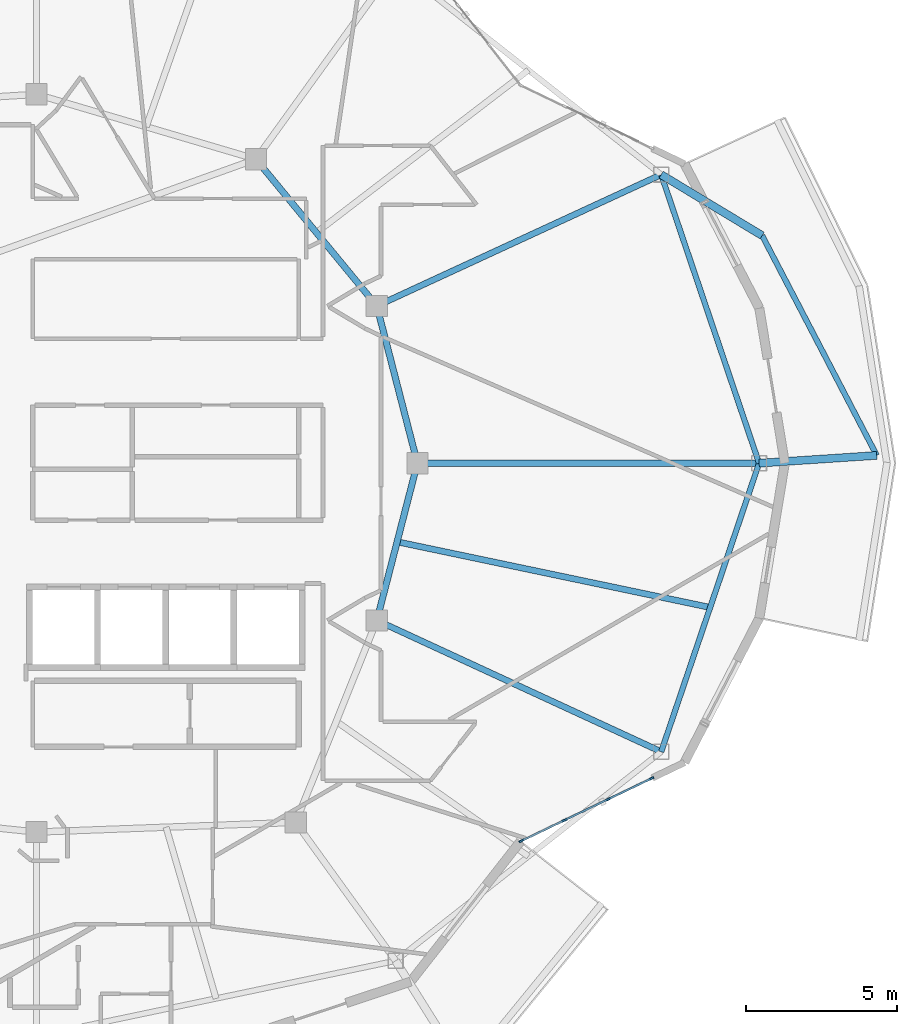
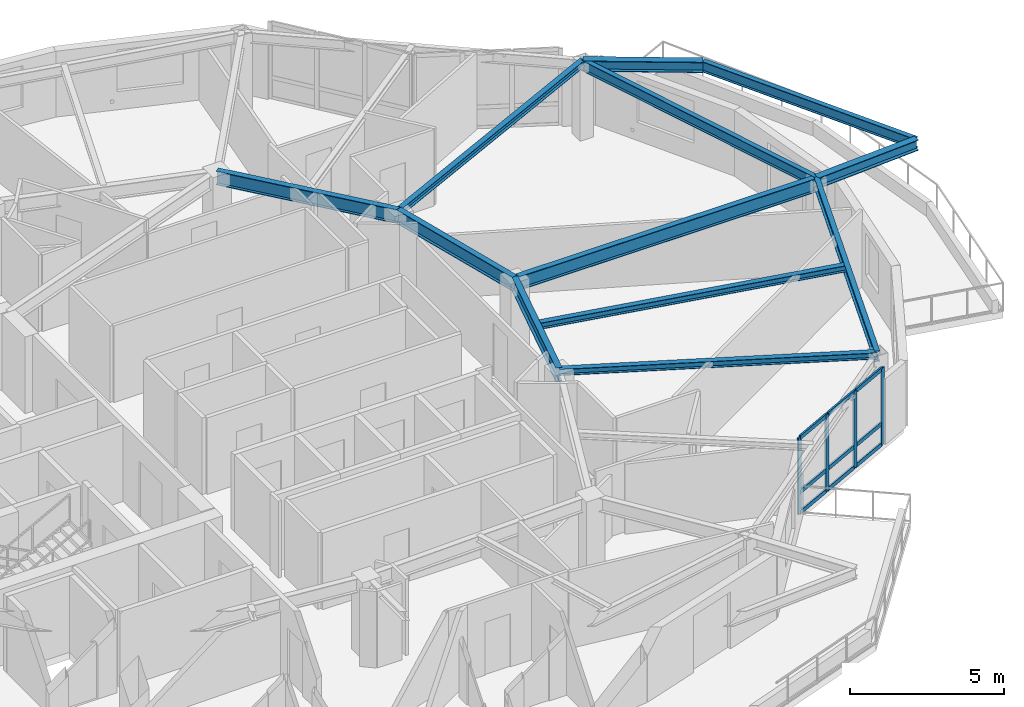
# One storey, part 2 of 14: 13 members, 12 beams, 1 element without a shape of its own.
"""IFC4 building model written with IfcOpenShell, lengths in metres."""

from ifc_helpers import new_model, si_unit, direction, frame, origin, origin_2d, place, context, subcontext, project, spatial, rectangle, i_section, extrude, material, layer, layer_set, material_profile, profile_set, type_object, element, aggregate, save


model = new_model("IFC4")

# Units and contexts
model_context = context("Model", 3, precision=1e-05, world=origin(), true_north=direction((0.0, 1.0)))
body_context = subcontext(model_context, "Body", "Model", "MODEL_VIEW")
ifc_project = project(units=[si_unit("LENGTHUNIT", "METRE"), si_unit("AREAUNIT", "SQUARE_METRE"), si_unit("VOLUMEUNIT", "CUBIC_METRE"), si_unit("PLANEANGLEUNIT", "RADIAN"), si_unit("MASSUNIT", "GRAM", prefix="KILO")], contexts=[model_context])

# Site, building, storey
site_placement = place(None, origin())
site = spatial("IfcSite", under=ifc_project, at=site_placement, CompositionType="ELEMENT")
building_placement = place(site_placement, origin())
building = spatial("IfcBuilding", under=site, at=building_placement, Name="Kolvaren Gate Tower and Convention Centre", CompositionType="ELEMENT")
storey_placement = place(building_placement, frame((0.0, 0.0, 232.699951171875)))
storey = spatial("IfcBuildingStorey", under=building, at=storey_placement, Name="L62", CompositionType="ELEMENT", Elevation=232.699951171875)

# Curtain wall, members
ifc_material_1 = material(Name="Anodized Architectural Aluminium Alloy 6063-T6", Category="aluminium")
ifc_layer = layer(ifc_material_1, 0.159912109375)
ifc_layer_set = layer_set([ifc_layer], Name="Anodized Architectural Aluminium Alloy 6063-T6")
curtain_wall_type = type_object("IfcCurtainWallType", Name="CW-RES-UNIT", PredefinedType="NOTDEFINED", material=ifc_layer_set)
curtain_wall_placement = place(storey_placement, origin())
curtain_wall = element("IfcCurtainWall", 1, at=curtain_wall_placement, inside=storey, type_object=curtain_wall_type, Name="Tower L62 Unitised Curtain Wall CW-RES-UNIT Bay 21", PredefinedType="NOTDEFINED")
ifc_material_profile_1 = material_profile(ifc_material_1, rectangle(XDim=0.06494140625, YDim=0.159912109375, at=origin_2d()), Name="CW-MEM-MUL-160")
ifc_profile_set_1 = profile_set([ifc_material_profile_1], Name="Anodized Architectural Aluminium Alloy 6063-T6")
member_type_1 = type_object("IfcMemberType", Name="CW-MEM-MUL-160", PredefinedType="MULLION", material=ifc_profile_set_1)
member_1_placement = place(storey_placement, frame((46.161865234375, 14.5068359375, 0.0), z_axis=(0.0, 0.0, 1.0), x_axis=(-0.433064264345, 0.90136304725, 0.0)))
member_1 = element("IfcMember", 2, at=member_1_placement, type_object=member_type_1, Name="CW-04 mullion 1", PredefinedType="MULLION", context=body_context, shape_type="SweptSolid", body=[
    extrude(rectangle(XDim=0.06494140625, YDim=0.159912109375, at=origin_2d()), origin(), (0.0, 0.0, 1.0), 3.030029296875),
])
member_2_placement = place(storey_placement, frame((47.58642578125, 15.191162109375, 0.0), z_axis=(0.0, 0.0, 1.0), x_axis=(-0.433064264345, 0.90136304725, 0.0)))
member_2 = element("IfcMember", 3, at=member_2_placement, type_object=member_type_1, Name="CW-04 mullion 2", PredefinedType="MULLION", context=body_context, shape_type="SweptSolid", body=[
    extrude(rectangle(XDim=0.06494140625, YDim=0.159912109375, at=origin_2d()), origin(), (0.0, 0.0, 1.0), 3.030029296875),
])
member_3_placement = place(storey_placement, frame((49.040283203125, 15.8896484375, 0.0), z_axis=(0.0, 0.0, 1.0), x_axis=(-0.433064264345, 0.90136304725, 0.0)))
member_3 = element("IfcMember", 4, at=member_3_placement, type_object=member_type_1, Name="CW-04 mullion 3", PredefinedType="MULLION", context=body_context, shape_type="SweptSolid", body=[
    extrude(rectangle(XDim=0.06494140625, YDim=0.159912109375, at=origin_2d()), origin(), (0.0, 0.0, 1.0), 3.030029296875),
])
member_4_placement = place(storey_placement, frame((50.46484375, 16.57421875, 0.0), z_axis=(0.0, 0.0, 1.0), x_axis=(-0.433064264345, 0.90136304725, 0.0)))
member_4 = element("IfcMember", 5, at=member_4_placement, type_object=member_type_1, Name="CW-04 mullion 4", PredefinedType="MULLION", context=body_context, shape_type="SweptSolid", body=[
    extrude(rectangle(XDim=0.06494140625, YDim=0.159912109375, at=origin_2d()), origin(), (0.0, 0.0, 1.0), 3.030029296875),
])
ifc_material_profile_2 = material_profile(ifc_material_1, rectangle(XDim=0.06494140625, YDim=0.159912109375, at=origin_2d()), Name="CW-MEM-TRN-160")
ifc_profile_set_2 = profile_set([ifc_material_profile_2], Name="Anodized Architectural Aluminium Alloy 6063-T6")
member_type_2 = type_object("IfcMemberType", Name="CW-MEM-TRN-160", PredefinedType="USERDEFINED", material=ifc_profile_set_2)
member_5_placement = place(storey_placement, frame((46.191162109375, 14.520751953125, 0.032470703125), z_axis=(0.901309275583, 0.433176164797, 0.0), x_axis=(-0.433176164797, 0.901309275583, 0.0)))
member_5 = element("IfcMember", 6, at=member_5_placement, type_object=member_type_2, Name="CW-04 transom 1.1", ObjectType="TRANSOM", PredefinedType="USERDEFINED", context=body_context, shape_type="SweptSolid", body=[
    extrude(rectangle(XDim=0.06494140625, YDim=0.159912109375, at=origin_2d()), origin(), (0.0, 0.0, 1.0), 1.515625),
])
member_6_placement = place(storey_placement, frame((46.191162109375, 14.520751953125, 0.85009765625), z_axis=(0.901309275583, 0.433176164797, 0.0), x_axis=(-0.433176164797, 0.901309275583, 0.0)))
member_6 = element("IfcMember", 7, at=member_6_placement, type_object=member_type_2, Name="CW-04 transom 1.2", ObjectType="TRANSOM", PredefinedType="USERDEFINED", context=body_context, shape_type="SweptSolid", body=[
    extrude(rectangle(XDim=0.06494140625, YDim=0.159912109375, at=origin_2d()), origin(), (0.0, 0.0, 1.0), 1.515625),
])
member_7_placement = place(storey_placement, frame((46.191162109375, 14.520751953125, 2.99755859375), z_axis=(0.901309275583, 0.433176164797, 0.0), x_axis=(-0.433176164797, 0.901309275583, 0.0)))
member_7 = element("IfcMember", 8, at=member_7_placement, type_object=member_type_2, Name="CW-04 transom 1.3", ObjectType="TRANSOM", PredefinedType="USERDEFINED", context=body_context, shape_type="SweptSolid", body=[
    extrude(rectangle(XDim=0.06494140625, YDim=0.159912109375, at=origin_2d()), origin(), (0.0, 0.0, 1.0), 1.515625),
])
member_8_placement = place(storey_placement, frame((47.61572265625, 15.205322265625, 0.032470703125), z_axis=(0.901350707748, 0.433089946365, 0.0), x_axis=(-0.433089946365, 0.901350707748, 0.0)))
member_8 = element("IfcMember", 9, at=member_8_placement, type_object=member_type_2, Name="CW-04 transom 2.1", ObjectType="TRANSOM", PredefinedType="USERDEFINED", context=body_context, shape_type="SweptSolid", body=[
    extrude(rectangle(XDim=0.06494140625, YDim=0.159912109375, at=origin_2d()), origin(), (0.0, 0.0, 1.0), 1.5478515625),
])
member_9_placement = place(storey_placement, frame((47.61572265625, 15.205322265625, 0.85009765625), z_axis=(0.901350707748, 0.433089946365, 0.0), x_axis=(-0.433089946365, 0.901350707748, 0.0)))
member_9 = element("IfcMember", 10, at=member_9_placement, type_object=member_type_2, Name="CW-04 transom 2.2", ObjectType="TRANSOM", PredefinedType="USERDEFINED", context=body_context, shape_type="SweptSolid", body=[
    extrude(rectangle(XDim=0.06494140625, YDim=0.159912109375, at=origin_2d()), origin(), (0.0, 0.0, 1.0), 1.5478515625),
])
member_10_placement = place(storey_placement, frame((47.61572265625, 15.205322265625, 2.99755859375), z_axis=(0.901350707748, 0.433089946365, 0.0), x_axis=(-0.433089946365, 0.901350707748, 0.0)))
member_10 = element("IfcMember", 11, at=member_10_placement, type_object=member_type_2, Name="CW-04 transom 2.3", ObjectType="TRANSOM", PredefinedType="USERDEFINED", context=body_context, shape_type="SweptSolid", body=[
    extrude(rectangle(XDim=0.06494140625, YDim=0.159912109375, at=origin_2d()), origin(), (0.0, 0.0, 1.0), 1.5478515625),
])
member_11_placement = place(storey_placement, frame((49.069580078125, 15.90380859375, 0.032470703125), z_axis=(0.901372164893, 0.433045286726, 0.0), x_axis=(-0.433045286726, 0.901372164893, 0.0)))
member_11 = element("IfcMember", 12, at=member_11_placement, type_object=member_type_2, Name="CW-04 transom 3.1", ObjectType="TRANSOM", PredefinedType="USERDEFINED", context=body_context, shape_type="SweptSolid", body=[
    extrude(rectangle(XDim=0.06494140625, YDim=0.159912109375, at=origin_2d()), origin(), (0.0, 0.0, 1.0), 1.515380859375),
])
member_12_placement = place(storey_placement, frame((49.069580078125, 15.90380859375, 0.85009765625), z_axis=(0.901372164893, 0.433045286726, 0.0), x_axis=(-0.433045286726, 0.901372164893, 0.0)))
member_12 = element("IfcMember", 13, at=member_12_placement, type_object=member_type_2, Name="CW-04 transom 3.2", ObjectType="TRANSOM", PredefinedType="USERDEFINED", context=body_context, shape_type="SweptSolid", body=[
    extrude(rectangle(XDim=0.06494140625, YDim=0.159912109375, at=origin_2d()), origin(), (0.0, 0.0, 1.0), 1.515380859375),
])
member_13_placement = place(storey_placement, frame((49.069580078125, 15.90380859375, 2.99755859375), z_axis=(0.901372164893, 0.433045286726, 0.0), x_axis=(-0.433045286726, 0.901372164893, 0.0)))
member_13 = element("IfcMember", 14, at=member_13_placement, type_object=member_type_2, Name="CW-04 transom 3.3", ObjectType="TRANSOM", PredefinedType="USERDEFINED", context=body_context, shape_type="SweptSolid", body=[
    extrude(rectangle(XDim=0.06494140625, YDim=0.159912109375, at=origin_2d()), origin(), (0.0, 0.0, 1.0), 1.515380859375),
])
aggregate(curtain_wall, [member_1, member_2, member_3, member_4, member_5, member_6, member_7, member_8, member_9, member_10, member_11, member_12, member_13])

# Beams
ifc_material_2 = material(Name="Structural steel ASTM A992 Grade 345 MPa", Category="steel")
ifc_material_profile_3 = material_profile(ifc_material_2, i_section(OverallWidth=0.260009765625, OverallDepth=0.419921875, WebThickness=0.013427734375, FlangeThickness=0.0224609375, at=origin_2d()), Name="W410X132")
ifc_profile_set_3 = profile_set([ifc_material_profile_3], Name="Structural steel ASTM A992 Grade 345 MPa")
beam_type_1 = type_object("IfcBeamType", Name="STR-BM-W410X132", PredefinedType="BEAM", material=ifc_profile_set_3)
for number, where, z_axis, x_axis, name in (
    (15, (54.02490234375, 27.0, 2.820556640625), (0.997825138942, 0.065916554034, 0.0), (-0.065916554034, 0.997825138942, 0.0), "Tower L63 Planted Balcony Outrigger Cantilever BC-4A"),
    (16, (50.787353515625, 36.543701171875, 2.820556640625), (0.856097890351, -0.516813701575, 0.0), (0.516813701575, 0.856097890351, 0.0), "Tower L63 Planted Balcony Outrigger Cantilever BC-4B"),
):
    element("IfcBeam", number, at=place(storey_placement, frame(where, z_axis=z_axis, x_axis=x_axis)), inside=storey, type_object=beam_type_1, Name=name, PredefinedType="BEAM", context=body_context, shape_type="SweptSolid", body=[
        extrude(i_section(OverallWidth=0.260009765625, OverallDepth=0.419921875, WebThickness=0.013427734375, FlangeThickness=0.0224609375, at=origin_2d()), origin(), (0.0, 0.0, 1.0), 3.900146484375),
    ])
ifc_material_profile_4 = material_profile(ifc_material_2, i_section(OverallWidth=0.2119140625, OverallDepth=0.5439453125, WebThickness=0.01318359375, FlangeThickness=0.021240234375, at=origin_2d()), Name="W530X123")
ifc_profile_set_4 = profile_set([ifc_material_profile_4], Name="Structural steel ASTM A992 Grade 345 MPa")
beam_type_2 = type_object("IfcBeamType", Name="STR-BM-W530X123", PredefinedType="BEAM", material=ifc_profile_set_4)
beam_1_placement = place(storey_placement, frame((42.72509765625, 27.0, 2.758056640625), z_axis=(-0.250091133936, -0.968222301296, 0.0), x_axis=(0.968222301296, -0.250091133936, 0.0)))
element("IfcBeam", 17, at=beam_1_placement, inside=storey, type_object=beam_type_2, Name="Tower L62 Primary Ring Girder G-01", PredefinedType="BEAM", context=body_context, shape_type="SweptSolid", body=[
    extrude(i_section(OverallWidth=0.2119140625, OverallDepth=0.5439453125, WebThickness=0.01318359375, FlangeThickness=0.021240234375, at=origin_2d()), origin(), (0.0, 0.0, 1.0), 5.3701171875),
])
beam_2_placement = place(storey_placement, frame((41.382080078125, 32.199462890625, 2.758056640625), z_axis=(-0.635884066011, 0.771784590798, 0.0), x_axis=(-0.771784590798, -0.635884066011, 0.0)))
element("IfcBeam", 18, at=beam_2_placement, inside=storey, type_object=beam_type_2, Name="Tower L62 Primary Ring Girder G-02", PredefinedType="BEAM", context=body_context, shape_type="SweptSolid", body=[
    extrude(i_section(OverallWidth=0.2119140625, OverallDepth=0.5439453125, WebThickness=0.01318359375, FlangeThickness=0.021240234375, at=origin_2d()), origin(), (0.0, 0.0, 1.0), 6.291259765625),
])
beam_3_placement = place(storey_placement, frame((42.72509765625, 27.0, 2.758056640625), z_axis=(-0.250091133936, 0.968222301296, 0.0), x_axis=(-0.968222301296, -0.250091133936, 0.0)))
element("IfcBeam", 19, at=beam_3_placement, inside=storey, type_object=beam_type_2, Name="Tower L62 Primary Ring Girder G-12", PredefinedType="BEAM", context=body_context, shape_type="SweptSolid", body=[
    extrude(i_section(OverallWidth=0.2119140625, OverallDepth=0.5439453125, WebThickness=0.01318359375, FlangeThickness=0.021240234375, at=origin_2d()), origin(), (0.0, 0.0, 1.0), 5.3701171875),
])
beam_4_placement = place(storey_placement, frame((42.72509765625, 27.0, 2.758056640625), z_axis=(1.0, 0.0, 0.0), x_axis=(0.0, 1.0, 0.0)))
element("IfcBeam", 20, at=beam_4_placement, inside=storey, type_object=beam_type_2, Name="Tower L62 Radial Floor Girder RB-01", PredefinedType="BEAM", context=body_context, shape_type="SweptSolid", body=[
    extrude(i_section(OverallWidth=0.2119140625, OverallDepth=0.5439453125, WebThickness=0.01318359375, FlangeThickness=0.021240234375, at=origin_2d()), origin(), (0.0, 0.0, 1.0), 11.2998046875),
])
ifc_material_profile_5 = material_profile(ifc_material_2, i_section(OverallWidth=0.202880859375, OverallDepth=0.251953125, WebThickness=0.008056640625, FlangeThickness=0.013427734375, at=origin_2d()), Name="W250X58")
ifc_profile_set_5 = profile_set([ifc_material_profile_5], Name="Structural steel ASTM A992 Grade 345 MPa")
beam_type_3 = type_object("IfcBeamType", Name="STR-JS-W250X58", PredefinedType="JOIST", material=ifc_profile_set_5)
for number, where, z_axis, x_axis, name in (
    (21, (41.382080078125, 32.199462890625, 2.904052734375), (0.907836575129, 0.419324162025, 0.0), (-0.419324162025, 0.907836575129, 0.0), "Tower L62 Radial Floor Girder RB-02"),
    (22, (41.382080078125, 21.800537109375, 2.904052734375), (0.907836575129, -0.419324162025, 0.0), (0.419324162025, 0.907836575129, 0.0), "Tower L62 Radial Floor Girder RB-12"),
):
    element("IfcBeam", number, at=place(storey_placement, frame(where, z_axis=z_axis, x_axis=x_axis)), inside=storey, type_object=beam_type_3, Name=name, PredefinedType="JOIST", context=body_context, shape_type="SweptSolid", body=[
        extrude(i_section(OverallWidth=0.202880859375, OverallDepth=0.251953125, WebThickness=0.008056640625, FlangeThickness=0.013427734375, at=origin_2d()), origin(), (0.0, 0.0, 1.0), 10.360107421875),
    ])
beam_5_placement = place(storey_placement, frame((42.0537109375, 24.400146484375, 2.904052734375), z_axis=(0.978694513543, -0.205321818519, 0.0), x_axis=(0.205321818519, 0.978694513543, 0.0)))
element("IfcBeam", 23, at=beam_5_placement, inside=storey, type_object=beam_type_3, Name="Tower L62 Secondary Composite Floor Joist J-12.1", PredefinedType="JOIST", context=body_context, shape_type="SweptSolid", body=[
    extrude(i_section(OverallWidth=0.202880859375, OverallDepth=0.251953125, WebThickness=0.008056640625, FlangeThickness=0.013427734375, at=origin_2d()), origin(), (0.0, 0.0, 1.0), 10.577880859375),
])
ifc_material_profile_6 = material_profile(ifc_material_2, i_section(OverallWidth=0.180908203125, OverallDepth=0.4169921875, WebThickness=0.010986328125, FlangeThickness=0.018310546875, at=origin_2d()), Name="W410X85")
ifc_profile_set_6 = profile_set([ifc_material_profile_6], Name="Structural steel ASTM A992 Grade 345 MPa")
beam_type_4 = type_object("IfcBeamType", Name="STR-SP-W410X85", PredefinedType="SPANDREL", material=ifc_profile_set_6)
for number, where, z_axis, x_axis, name in (
    (24, (54.02490234375, 27.0, 2.821533203125), (-0.321252507379, 0.946993572577, 0.0), (-0.946993572577, -0.321252507379, 0.0), "Tower L62 Perimeter Spandrel Beam SP-01"),
    (25, (50.787353515625, 17.456298828125, 2.821533203125), (0.321252507379, 0.946993572577, 0.0), (-0.946993572577, 0.321252507379, 0.0), "Tower L62 Perimeter Spandrel Beam SP-12"),
):
    element("IfcBeam", number, at=place(storey_placement, frame(where, z_axis=z_axis, x_axis=x_axis)), inside=storey, type_object=beam_type_4, Name=name, PredefinedType="SPANDREL", context=body_context, shape_type="SweptSolid", body=[
        extrude(i_section(OverallWidth=0.180908203125, OverallDepth=0.4169921875, WebThickness=0.010986328125, FlangeThickness=0.018310546875, at=origin_2d()), origin(), (0.0, 0.0, 1.0), 10.077880859375),
    ])
beam_6_placement = place(storey_placement, frame((57.91650390625, 27.257080078125, 2.822021484375), z_axis=(-0.462251551917, 0.886748838595, 0.0), x_axis=(-0.886748838595, -0.462251551917, 0.0)))
element("IfcBeam", 26, at=beam_6_placement, inside=storey, type_object=beam_type_4, Name="Tower L63 Planted Balcony Header Tie Beam BT-4", PredefinedType="SPANDREL", context=body_context, shape_type="SweptSolid", body=[
    extrude(i_section(OverallWidth=0.180908203125, OverallDepth=0.4169921875, WebThickness=0.010986328125, FlangeThickness=0.018310546875, at=origin_2d()), origin(), (0.0, 0.0, 1.0), 8.19970703125),
])

save(model, "model.ifc")
